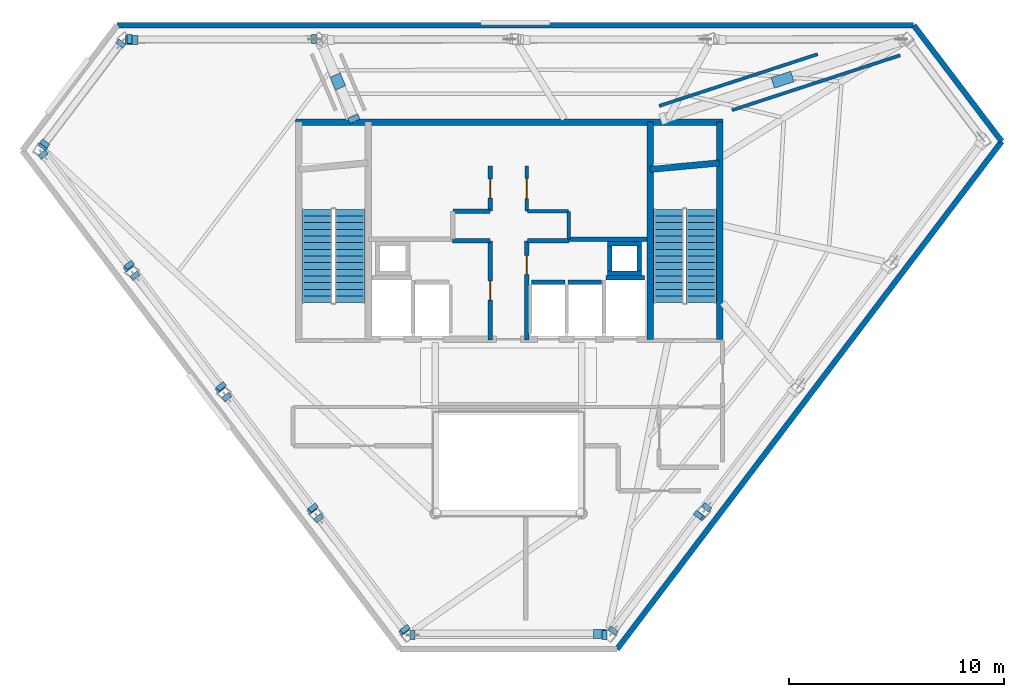
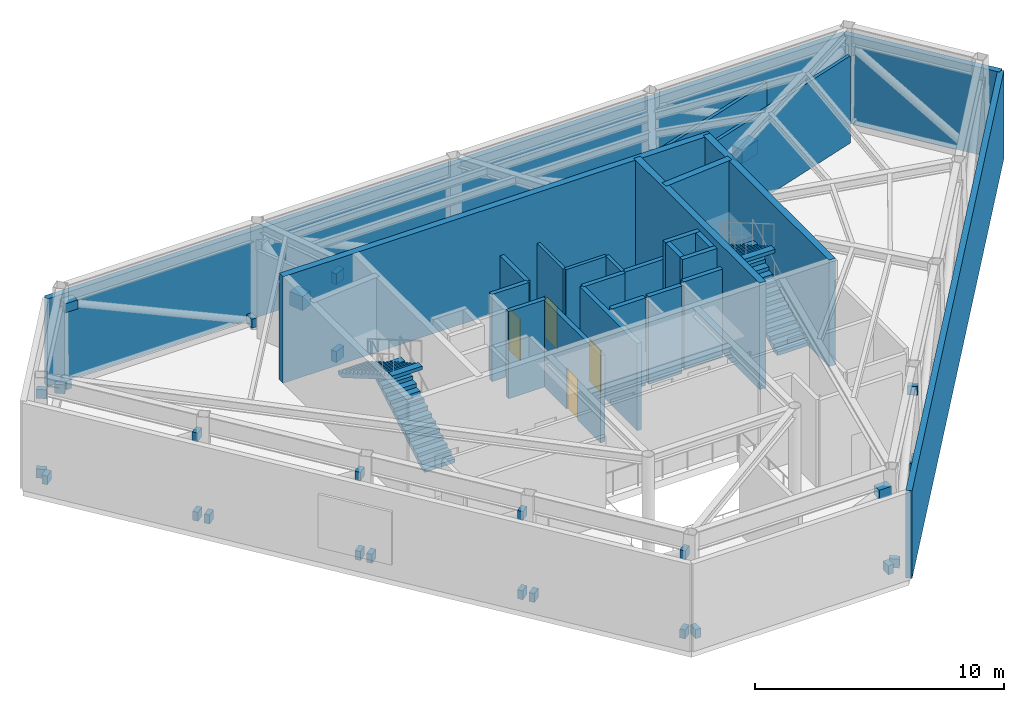
# One storey, part 5 of 9: 29 discrete accessories, 26 walls, 4 doors, 4 stair flights, 4 openings, 2 elements without a shape of their own.
"""IFC4 building model written with IfcOpenShell, lengths in metres."""

from ifc_helpers import new_model, si_unit, direction, frame, frame_2d, origin, origin_2d, place, context, subcontext, project, spatial, polyline, rectangle, outline, extrude, material, layer, layer_set, type_object, element, fill, aggregate, save


model = new_model("IFC4")

# Units and contexts
model_context = context("Model", 3, precision=1e-05, world=origin(), true_north=direction((0.0, 1.0)))
body_context = subcontext(model_context, "Body", "Model", "MODEL_VIEW")
ifc_project = project(units=[si_unit("LENGTHUNIT", "METRE"), si_unit("AREAUNIT", "SQUARE_METRE"), si_unit("VOLUMEUNIT", "CUBIC_METRE"), si_unit("PLANEANGLEUNIT", "RADIAN"), si_unit("MASSUNIT", "GRAM", prefix="KILO")], contexts=[model_context])

# Site, building, storey
site_placement = place(None, origin())
site = spatial("IfcSite", under=ifc_project, at=site_placement, CompositionType="ELEMENT")
building_placement = place(site_placement, origin())
building = spatial("IfcBuilding", under=site, at=building_placement, Name="Zarrinselat Tower", CompositionType="ELEMENT")
storey_placement = place(building_placement, frame((0.0, 0.0, 252.9599609375)))
storey = spatial("IfcBuildingStorey", under=building, at=storey_placement, Name="L64", CompositionType="ELEMENT", Elevation=252.9599609375)

# Walls
ifc_material_1 = material(Name="Honed Cream Travertine Stone", Category="masonry")
ifc_layer_1 = layer(ifc_material_1, 0.260009765625)
ifc_layer_set_1 = layer_set([ifc_layer_1], Name="Honed Cream Travertine Stone")
wall_type_1 = type_object("IfcWallType", Name="WAL-EXT-STONE-260", PredefinedType="STANDARD", material=ifc_layer_set_1)
wall_1_placement = place(storey_placement, frame((20.199462890625, 47.905517578125, 0.0), z_axis=(0.0, 0.0, 1.0), x_axis=(1.0, 0.0, 0.0)))
element("IfcWall", 1, at=wall_1_placement, inside=storey, type_object=wall_type_1, Name="L64 Mechanical Plant Travertine Perimeter Wall 1", PredefinedType="STANDARD", context=body_context, shape_type="SweptSolid", body=[
    extrude(rectangle(XDim=37.038818359375, YDim=0.260009765625, at=frame_2d((18.51953125, 0.0))), origin(), (0.0, 0.0, 1.0), 4.294921875),
])
wall_2_placement = place(storey_placement, frame((43.443359375, 18.88623046875, 0.0), z_axis=(0.0, 0.0, 1.0), x_axis=(0.603858957302, 0.797091186556, 0.0)))
element("IfcWall", 2, at=wall_2_placement, inside=storey, type_object=wall_type_1, Name="L64 Mechanical Plant Travertine Perimeter Wall 5", PredefinedType="STANDARD", context=body_context, shape_type="SweptSolid", body=[
    extrude(rectangle(XDim=29.62548828125, YDim=0.260009765625, at=frame_2d((14.812744140625, 0.0))), origin(), (0.0, 0.0, 1.0), 4.294921875),
])
wall_3_placement = place(storey_placement, frame((57.23828125, 47.905517578125, 0.0), z_axis=(0.0, 0.0, 1.0), x_axis=(0.603858381187, -0.797091623008, 0.0)))
element("IfcWall", 3, at=wall_3_placement, inside=storey, type_object=wall_type_1, Name="L64 Mechanical Plant Travertine Perimeter Wall 6", PredefinedType="STANDARD", context=body_context, shape_type="SweptSolid", body=[
    extrude(rectangle(XDim=6.781005859375, YDim=0.260009765625, at=frame_2d((3.390625, 0.0))), origin(), (0.0, 0.0, 1.0), 4.294921875),
])

# Wall, opening, door
ifc_material_2 = material(Name="Fire-Rated Gypsum Board Partition", Category="gypsum")
ifc_layer_2 = layer(ifc_material_2, 0.14990234375)
ifc_layer_set_2 = layer_set([ifc_layer_2], Name="Fire-Rated Gypsum Board Partition")
wall_type_2 = type_object("IfcWallType", Name="WAL-PART-EI60", PredefinedType="PARTITIONING", material=ifc_layer_set_2)
wall_4_placement = place(storey_placement, frame((39.25, 39.27001953125, 0.0), z_axis=(0.0, 0.0, 1.0), x_axis=(0.0, 1.0, 0.0)))
wall_4 = element("IfcWall", 4, at=wall_4_placement, inside=storey, type_object=wall_type_2, Name="L64 Partition Wall 8", PredefinedType="PARTITIONING", context=body_context, shape_type="SweptSolid", body=[
    extrude(rectangle(XDim=2.080078125, YDim=0.14990234375, at=frame_2d((1.0400390625, 0.0))), origin(), (0.0, 0.0, 1.0), 4.275146484375),
])
opening_1_placement = place(wall_4_placement, frame((0.570068359375, 0.0, 0.0)))
opening_1 = element("IfcOpeningElement", 5, at=opening_1_placement, cuts=wall_4, Name="Opening ID-04", PredefinedType="OPENING", context=body_context, shape_type="SweptSolid", body=[
    extrude(rectangle(XDim=0.93994140625, YDim=2.050048828125, at=frame_2d((0.469970703125, 1.02490234375))), frame((0.0, 0.0849609375, 0.0), z_axis=(0.0, -1.0, 0.0), x_axis=(1.0, 0.0, 0.0)), (0.0, 0.0, 1.0), 0.169921875),
])
ifc_material_3 = material(Name="Fire-Rated Gypsum Board Partition")
door_type_1 = type_object("IfcDoorType", Name="DR-INT-FD30-ENT", OperationType="NOTDEFINED", PredefinedType="DOOR", material=ifc_material_3)
door_1_placement = place(opening_1_placement, origin())
door_1 = element("IfcDoor", 6, at=door_1_placement, inside=storey, type_object=door_type_1, Name="L64 Interior Door P8", OperationType="SINGLE_SWING_RIGHT", OverallHeight=2.050048828125, OverallWidth=0.93994140625, PredefinedType="DOOR", context=body_context, shape_type="SweptSolid", body=[
    extrude(rectangle(XDim=0.93994140625, YDim=2.050048828125, at=frame_2d((0.469970703125, 1.02490234375))), frame((0.0, 0.02490234375, 0.0), z_axis=(0.0, -1.0, 0.0), x_axis=(1.0, 0.0, 0.0)), (0.0, 0.0, 1.0), 0.050048828125),
])
fill(opening_1, door_1)

# Walls
wall_5_placement = place(storey_placement, frame((39.27001953125, 39.25, 0.0), z_axis=(0.0, 0.0, 1.0), x_axis=(1.0, 0.0, 0.0)))
element("IfcWall", 7, at=wall_5_placement, inside=storey, type_object=wall_type_2, Name="L64 Partition Wall 9", PredefinedType="PARTITIONING", context=body_context, shape_type="SweptSolid", body=[
    extrude(rectangle(XDim=1.909912109375, YDim=0.14990234375, at=frame_2d((0.955078125, 0.0))), origin(), (0.0, 0.0, 1.0), 4.275146484375),
])
wall_6_placement = place(storey_placement, frame((41.199951171875, 37.955078125, 0.0), z_axis=(0.0, 0.0, 1.0), x_axis=(0.0, 1.0, 0.0)))
element("IfcWall", 8, at=wall_6_placement, inside=storey, type_object=wall_type_2, Name="L64 Partition Wall 10", PredefinedType="PARTITIONING", context=body_context, shape_type="SweptSolid", body=[
    extrude(rectangle(XDim=1.27490234375, YDim=0.14990234375, at=frame_2d((0.637451171875, 0.0))), origin(), (0.0, 0.0, 1.0), 4.275146484375),
])

# Wall, opening, door
ifc_material_4 = material(Name="Concrete C40/50", Category="concrete")
ifc_layer_3 = layer(ifc_material_4, 0.199951171875)
ifc_layer_set_3 = layer_set([ifc_layer_3], Name="Concrete C40/50")
wall_type_3 = type_object("IfcWallType", Name="WAL-PART-PLANT", PredefinedType="PARTITIONING", material=ifc_layer_set_3)
wall_7_placement = place(storey_placement, frame((37.550048828125, 33.264892578125, 0.0), z_axis=(0.0, 0.0, 1.0), x_axis=(0.0, 1.0, 0.0)))
wall_7 = element("IfcWall", 9, at=wall_7_placement, inside=storey, type_object=wall_type_3, Name="L64 Partition Wall 1", PredefinedType="PARTITIONING", context=body_context, shape_type="SweptSolid", body=[
    extrude(rectangle(XDim=4.59521484375, YDim=0.199951171875, at=frame_2d((2.297607421875, 0.0))), origin(), (0.0, 0.0, 1.0), 4.275146484375),
])
opening_2_placement = place(wall_7_placement, frame((1.857421875, 0.0, 0.0)))
opening_2 = element("IfcOpeningElement", 10, at=opening_2_placement, cuts=wall_7, Name="Opening ID-03", PredefinedType="OPENING", context=body_context, shape_type="SweptSolid", body=[
    extrude(rectangle(XDim=0.8798828125, YDim=2.050048828125, at=frame_2d((0.43994140625, 1.02490234375))), frame((0.0, 0.10986328125, 0.0), z_axis=(0.0, -1.0, 0.0), x_axis=(1.0, 0.0, 0.0)), (0.0, 0.0, 1.0), 0.219970703125),
])
ifc_material_5 = material(Name="Steel S355J2", Category="steel")
door_type_2 = type_object("IfcDoorType", Name="DR-INT-FD60-S", OperationType="NOTDEFINED", PredefinedType="DOOR", material=ifc_material_5)
door_2_placement = place(opening_2_placement, origin())
door_2 = element("IfcDoor", 11, at=door_2_placement, inside=storey, type_object=door_type_2, Name="L64 Interior Door P1", OperationType="SINGLE_SWING_LEFT", OverallHeight=2.050048828125, OverallWidth=0.8798828125, PredefinedType="DOOR", context=body_context, shape_type="SweptSolid", body=[
    extrude(rectangle(XDim=0.8798828125, YDim=2.050048828125, at=frame_2d((0.43994140625, 1.02490234375))), frame((0.0, 0.02490234375, 0.0), z_axis=(0.0, -1.0, 0.0), x_axis=(1.0, 0.0, 0.0)), (0.0, 0.0, 1.0), 0.050048828125),
])
fill(opening_2, door_2)

# Walls
wall_8_placement = place(storey_placement, frame((35.800048828125, 37.8798828125, 0.0), z_axis=(0.0, 0.0, 1.0), x_axis=(1.0, 0.0, 0.0)))
element("IfcWall", 12, at=wall_8_placement, inside=storey, type_object=wall_type_3, Name="L64 Partition Wall 2", PredefinedType="PARTITIONING", context=body_context, shape_type="SweptSolid", body=[
    extrude(rectangle(XDim=1.72998046875, YDim=0.199951171875, at=frame_2d((0.864990234375, 0.0))), origin(), (0.0, 0.0, 1.0), 4.275146484375),
])
wall_9_placement = place(storey_placement, frame((35.820068359375, 39.25, 0.0), z_axis=(0.0, 0.0, 1.0), x_axis=(1.0, 0.0, 0.0)))
element("IfcWall", 13, at=wall_9_placement, inside=storey, type_object=wall_type_3, Name="L64 Partition Wall 4", PredefinedType="PARTITIONING", context=body_context, shape_type="SweptSolid", body=[
    extrude(rectangle(XDim=1.7099609375, YDim=0.199951171875, at=frame_2d((0.85498046875, 0.0))), origin(), (0.0, 0.0, 1.0), 4.275146484375),
])

# Wall, opening, door
wall_10_placement = place(storey_placement, frame((37.550048828125, 39.27001953125, 0.0), z_axis=(0.0, 0.0, 1.0), x_axis=(0.0, 1.0, 0.0)))
wall_10 = element("IfcWall", 14, at=wall_10_placement, inside=storey, type_object=wall_type_3, Name="L64 Partition Wall 5", PredefinedType="PARTITIONING", context=body_context, shape_type="SweptSolid", body=[
    extrude(rectangle(XDim=2.080078125, YDim=0.199951171875, at=frame_2d((1.0400390625, 0.0))), origin(), (0.0, 0.0, 1.0), 4.275146484375),
])
opening_3_placement = place(wall_10_placement, frame((0.60009765625, 0.0, 0.0)))
opening_3 = element("IfcOpeningElement", 15, at=opening_3_placement, cuts=wall_10, Name="Opening ID-03", PredefinedType="OPENING", context=body_context, shape_type="SweptSolid", body=[
    extrude(rectangle(XDim=0.8798828125, YDim=2.050048828125, at=frame_2d((0.43994140625, 1.02490234375))), frame((0.0, 0.10986328125, 0.0), z_axis=(0.0, -1.0, 0.0), x_axis=(1.0, 0.0, 0.0)), (0.0, 0.0, 1.0), 0.219970703125),
])
door_3_placement = place(opening_3_placement, origin())
door_3 = element("IfcDoor", 16, at=door_3_placement, inside=storey, type_object=door_type_2, Name="L64 Interior Door P5", OperationType="SINGLE_SWING_RIGHT", OverallHeight=2.050048828125, OverallWidth=0.8798828125, PredefinedType="DOOR", context=body_context, shape_type="SweptSolid", body=[
    extrude(rectangle(XDim=0.8798828125, YDim=2.050048828125, at=frame_2d((0.43994140625, 1.02490234375))), frame((0.0, 0.02490234375, 0.0), z_axis=(0.0, -1.0, 0.0), x_axis=(1.0, 0.0, 0.0)), (0.0, 0.0, 1.0), 0.050048828125),
])
fill(opening_3, door_3)

# Wall
wall_11_placement = place(storey_placement, frame((39.27001953125, 37.8798828125, 0.0), z_axis=(0.0, 0.0, 1.0), x_axis=(1.0, 0.0, 0.0)))
element("IfcWall", 17, at=wall_11_placement, inside=storey, type_object=wall_type_3, Name="L64 Partition Wall 6", PredefinedType="PARTITIONING", context=body_context, shape_type="SweptSolid", body=[
    extrude(rectangle(XDim=1.929931640625, YDim=0.199951171875, at=frame_2d((0.96484375, 0.0))), origin(), (0.0, 0.0, 1.0), 4.275146484375),
])

# Wall, opening, door
wall_12_placement = place(storey_placement, frame((39.25, 33.264892578125, 0.0), z_axis=(0.0, 0.0, 1.0), x_axis=(0.0, 1.0, 0.0)))
wall_12 = element("IfcWall", 18, at=wall_12_placement, inside=storey, type_object=wall_type_3, Name="L64 Partition Wall 7", PredefinedType="PARTITIONING", context=body_context, shape_type="SweptSolid", body=[
    extrude(rectangle(XDim=4.59521484375, YDim=0.199951171875, at=frame_2d((2.297607421875, 0.0))), origin(), (0.0, 0.0, 1.0), 4.275146484375),
])
opening_4_placement = place(wall_12_placement, frame((3.0576171875, 0.0, 0.0)))
opening_4 = element("IfcOpeningElement", 19, at=opening_4_placement, cuts=wall_12, Name="Opening ID-03", PredefinedType="OPENING", context=body_context, shape_type="SweptSolid", body=[
    extrude(rectangle(XDim=0.8798828125, YDim=2.050048828125, at=frame_2d((0.43994140625, 1.02490234375))), frame((0.0, 0.10986328125, 0.0), z_axis=(0.0, -1.0, 0.0), x_axis=(1.0, 0.0, 0.0)), (0.0, 0.0, 1.0), 0.219970703125),
])
door_4_placement = place(opening_4_placement, origin())
door_4 = element("IfcDoor", 20, at=door_4_placement, inside=storey, type_object=door_type_2, Name="L64 Interior Door P7", OperationType="SINGLE_SWING_LEFT", OverallHeight=2.050048828125, OverallWidth=0.8798828125, PredefinedType="DOOR", context=body_context, shape_type="SweptSolid", body=[
    extrude(rectangle(XDim=0.8798828125, YDim=2.050048828125, at=frame_2d((0.43994140625, 1.02490234375))), frame((0.0, 0.02490234375, 0.0), z_axis=(0.0, -1.0, 0.0), x_axis=(1.0, 0.0, 0.0)), (0.0, 0.0, 1.0), 0.050048828125),
])
fill(opening_4, door_4)

# Walls
wall_13_placement = place(storey_placement, frame((41.219970703125, 37.949951171875, 0.0), z_axis=(0.0, 0.0, 1.0), x_axis=(1.0, 0.0, 0.0)))
element("IfcWall", 21, at=wall_13_placement, inside=storey, type_object=wall_type_3, Name="L64 Partition Wall 12", PredefinedType="PARTITIONING", context=body_context, shape_type="SweptSolid", body=[
    extrude(rectangle(XDim=3.614990234375, YDim=0.199951171875, at=frame_2d((1.8076171875, 0.0))), origin(), (0.0, 0.0, 1.0), 4.275146484375),
])
ifc_material_6 = material(Name="Fire-Rated Gypsum Board Partition", Category="gypsum")
ifc_layer_4 = layer(ifc_material_6, 0.1201171875)
ifc_layer_set_4 = layer_set([ifc_layer_4], Name="Fire-Rated Gypsum Board Partition")
wall_type_4 = type_object("IfcWallType", Name="WAL-PART-STD", PredefinedType="PARTITIONING", material=ifc_layer_set_4)
wall_14_placement = place(storey_placement, frame((48.78662109375, 43.949951171875, 0.0), z_axis=(0.0, 0.0, 1.0), x_axis=(0.95063243693, 0.310319141942, 0.0)))
element("IfcWall", 22, at=wall_14_placement, inside=storey, type_object=wall_type_4, Name="L64 Outrigger Truss Zone 17 Fire Partition 1", PredefinedType="PARTITIONING", context=body_context, shape_type="SweptSolid", body=[
    extrude(rectangle(XDim=8.22705078125, YDim=0.14990234375, at=frame_2d((4.113525390625, 0.0))), origin(), (0.0, 0.0, 1.0), 4.275146484375),
])
wall_15_placement = place(storey_placement, frame((45.40771484375, 44.1513671875, 0.0), z_axis=(0.0, 0.0, 1.0), x_axis=(0.950631259931, 0.310322747541, 0.0)))
element("IfcWall", 23, at=wall_15_placement, inside=storey, type_object=wall_type_4, Name="L64 Outrigger Truss Zone 17 Fire Partition 2", PredefinedType="PARTITIONING", context=body_context, shape_type="SweptSolid", body=[
    extrude(rectangle(XDim=7.747802734375, YDim=0.14990234375, at=frame_2d((3.8740234375, 0.0))), origin(), (0.0, 0.0, 1.0), 4.275146484375),
])
ifc_material_7 = material(Name="Concrete C40/50", Category="concrete")
ifc_layer_5 = layer(ifc_material_7, 0.2099609375)
ifc_layer_set_5 = layer_set([ifc_layer_5], Name="Concrete C40/50")
wall_type_5 = type_object("IfcWallType", Name="WAL-SHAFT-210", PredefinedType="SOLIDWALL", material=ifc_layer_set_5)
wall_16_placement = place(storey_placement, frame((42.919921875, 36.155029296875, 0.0), z_axis=(0.0, 0.0, 1.0), x_axis=(1.0, 0.0, 0.0)))
element("IfcWall", 24, at=wall_16_placement, inside=storey, type_object=wall_type_5, Name="L64 Lift FFL2 North Shaft Wall", PredefinedType="SOLIDWALL", context=body_context, shape_type="SweptSolid", body=[
    extrude(rectangle(XDim=1.800048828125, YDim=0.2099609375, at=frame_2d((0.89990234375, 0.0))), origin(), (0.0, 0.0, 1.0), 4.2900390625),
])
for number, where, z_axis, x_axis, name in (
    (25, (39.469970703125, 35.955078125, 0.0), (0.0, 0.0, 1.0), (1.0, 0.0, 0.0), "L64 Lift PL8 North Shaft Wall"),
    (26, (41.169921875, 35.955078125, 0.0), (0.0, 0.0, 1.0), (1.0, 0.0, 0.0), "L64 Lift PL9 North Shaft Wall"),
):
    element("IfcWall", number, at=place(storey_placement, frame(where, z_axis=z_axis, x_axis=x_axis)), inside=storey, type_object=wall_type_5, Name=name, PredefinedType="SOLIDWALL", context=body_context, shape_type="SweptSolid", body=[
        extrude(rectangle(XDim=1.56005859375, YDim=0.2099609375, at=frame_2d((0.780029296875, 0.0))), origin(), (0.0, 0.0, 1.0), 4.2900390625),
    ])
for number, where, z_axis, x_axis, name in (
    (27, (42.989990234375, 36.375, 0.0), (0.0, 0.0, 1.0), (1.0, 0.0, 0.0), "L64 Core Riser RSR-E S Shaft Wall"),
    (28, (42.989990234375, 37.7451171875, 0.0), (0.0, 0.0, 1.0), (1.0, 0.0, 0.0), "L64 Core Riser RSR-E N Shaft Wall"),
):
    element("IfcWall", number, at=place(storey_placement, frame(where, z_axis=z_axis, x_axis=x_axis)), inside=storey, type_object=wall_type_5, Name=name, PredefinedType="SOLIDWALL", context=body_context, shape_type="SweptSolid", body=[
        extrude(rectangle(XDim=1.60009765625, YDim=0.2099609375, at=frame_2d((0.800048828125, 0.0))), origin(), (0.0, 0.0, 1.0), 5.219970703125),
    ])
for number, where, z_axis, x_axis, name in (
    (29, (43.094970703125, 36.485107421875, 0.0), (0.0, 0.0, 1.0), (0.0, 1.0, 0.0), "L64 Core Riser RSR-E W Shaft Wall"),
    (30, (44.485107421875, 36.485107421875, 0.0), (0.0, 0.0, 1.0), (0.0, 1.0, 0.0), "L64 Core Riser RSR-E E Shaft Wall"),
):
    element("IfcWall", number, at=place(storey_placement, frame(where, z_axis=z_axis, x_axis=x_axis)), inside=storey, type_object=wall_type_5, Name=name, PredefinedType="SOLIDWALL", context=body_context, shape_type="SweptSolid", body=[
        extrude(rectangle(XDim=1.14990234375, YDim=0.2099609375, at=frame_2d((0.574951171875, 0.0))), origin(), (0.0, 0.0, 1.0), 5.219970703125),
    ])
ifc_material_8 = material(Name="Concrete C40/50", Category="concrete")
ifc_layer_6 = layer(ifc_material_8, 0.300048828125)
ifc_layer_set_6 = layer_set([ifc_layer_6], Name="Concrete C40/50")
wall_type_6 = type_object("IfcWallType", Name="WAL-SHEAR-300", PredefinedType="SHEAR", material=ifc_layer_set_6)
wall_17_placement = place(storey_placement, frame((28.5, 43.39990234375, 0.0), z_axis=(0.0, 0.0, 1.0), x_axis=(1.0, 0.0, 0.0)))
element("IfcWall", 31, at=wall_17_placement, inside=storey, type_object=wall_type_6, Name="L64 North Core Shear Wall", PredefinedType="SHEAR", context=body_context, shape_type="SweptSolid", body=[
    extrude(rectangle(XDim=19.860107421875, YDim=0.300048828125, at=frame_2d((9.93017578125, 0.0))), origin(), (0.0, 0.0, 1.0), 5.219970703125),
])
for number, where, z_axis, x_axis, name in (
    (32, (44.989990234375, 33.300048828125, 0.0), (0.0, 0.0, 1.0), (0.0, 1.0, 0.0), "L64 Core Shear Wall ST2W"),
    (33, (48.2099609375, 33.300048828125, 0.0), (0.0, 0.0, 1.0), (0.0, 1.0, 0.0), "L64 Core Shear Wall E"),
):
    element("IfcWall", number, at=place(storey_placement, frame(where, z_axis=z_axis, x_axis=x_axis)), inside=storey, type_object=wall_type_6, Name=name, PredefinedType="SHEAR", context=body_context, shape_type="SweptSolid", body=[
        extrude(rectangle(XDim=10.099853515625, YDim=0.300048828125, at=frame_2d((5.0498046875, 0.0))), origin(), (0.0, 0.0, 1.0), 5.219970703125),
    ])
wall_18_placement = place(storey_placement, frame((44.97998046875, 41.199951171875, 0.0), z_axis=(0.0, 0.0, 1.0), x_axis=(0.995686468965, 0.09278176286, 0.0)))
element("IfcWall", 34, at=wall_18_placement, inside=storey, type_object=wall_type_6, Name="L64 Stair 2 North Shaft Wall", PredefinedType="SHEAR", context=body_context, shape_type="SweptSolid", body=[
    extrude(rectangle(XDim=3.23388671875, YDim=0.300048828125, at=frame_2d((1.616943359375, 0.0))), origin(), (0.0, 0.0, 1.0), 5.219970703125),
])

# Stair, stair flights
ifc_material_9 = material(Name="Concrete C40/50", Category="concrete")
stair_type = type_object("IfcStairType", Name="STR-CORE-155", PredefinedType="HALF_TURN_STAIR", material=ifc_material_9)
stair_1_placement = place(storey_placement, origin())
stair_1 = element("IfcStair", 35, at=stair_1_placement, inside=storey, type_object=stair_type, Name="L64 Core Exit Stair 1", PredefinedType="HALF_TURN_STAIR")
ifc_material_10 = material(Name="Concrete C40/50", Category="concrete")
stair_flight_type = type_object("IfcStairFlightType", Name="STR-FLT-155", PredefinedType="STRAIGHT", material=ifc_material_10)
stair_flight_1_placement = place(storey_placement, frame((31.02001953125, 35.0, 0.0), z_axis=(0.0, 0.0, 1.0), x_axis=(0.0, 1.0, 0.0)))
stair_flight_1 = element("IfcStairFlight", 36, at=stair_flight_1_placement, type_object=stair_flight_type, Name="ST-1 flight 1", NumberOfRisers=15, NumberOfTreads=14, PredefinedType="STRAIGHT", RiserHeight=0.181333333, TreadLength=0.31, context=body_context, shape_type="SweptSolid", body=[
    extrude(outline(polyline([(0.0, 0.0), (0.0, 0.181396484375), (0.31005859375, 0.181396484375), (0.31005859375, 0.362548828125), (0.6201171875, 0.362548828125), (0.6201171875, 0.5439453125), (0.929931640625, 0.5439453125), (0.929931640625, 0.725341796875), (1.239990234375, 0.725341796875), (1.239990234375, 0.90673828125), (1.550048828125, 0.90673828125), (1.550048828125, 1.087890625), (1.860107421875, 1.087890625), (1.860107421875, 1.269287109375), (2.169921875, 1.269287109375), (2.169921875, 1.45068359375), (2.47998046875, 1.45068359375), (2.47998046875, 1.632080078125), (2.7900390625, 1.632080078125), (2.7900390625, 1.813232421875), (3.10009765625, 1.813232421875), (3.10009765625, 1.99462890625), (3.409912109375, 1.99462890625), (3.409912109375, 2.176025390625), (3.719970703125, 2.176025390625), (3.719970703125, 2.357421875), (4.030029296875, 2.357421875), (4.030029296875, 2.53857421875), (4.340087890625, 2.53857421875), (4.340087890625, 2.719970703125), (4.340087890625, 2.364990234375), (0.296875, 0.0), (0.0, 0.0)])), frame((0.0, 0.699951171875, 0.0), z_axis=(0.0, -1.0, 0.0), x_axis=(1.0, 0.0, 0.0)), (0.0, 0.0, 1.0), 1.39990234375),
])
stair_flight_2_placement = place(storey_placement, frame((29.5, 39.340087890625, 2.719970703125), z_axis=(0.0, 0.0, 1.0), x_axis=(0.0, -1.0, 0.0)))
stair_flight_2 = element("IfcStairFlight", 37, at=stair_flight_2_placement, type_object=stair_flight_type, Name="ST-1 flight 2", NumberOfRisers=15, NumberOfTreads=14, PredefinedType="STRAIGHT", RiserHeight=0.181333333, TreadLength=0.31, context=body_context, shape_type="SweptSolid", body=[
    extrude(outline(polyline([(0.0, 0.0), (0.0, 0.181396484375), (0.31005859375, 0.181396484375), (0.31005859375, 0.362548828125), (0.6201171875, 0.362548828125), (0.6201171875, 0.5439453125), (0.929931640625, 0.5439453125), (0.929931640625, 0.725341796875), (1.239990234375, 0.725341796875), (1.239990234375, 0.90673828125), (1.550048828125, 0.90673828125), (1.550048828125, 1.087890625), (1.860107421875, 1.087890625), (1.860107421875, 1.269287109375), (2.169921875, 1.269287109375), (2.169921875, 1.45068359375), (2.47998046875, 1.45068359375), (2.47998046875, 1.632080078125), (2.7900390625, 1.632080078125), (2.7900390625, 1.813232421875), (3.10009765625, 1.813232421875), (3.10009765625, 1.99462890625), (3.409912109375, 1.99462890625), (3.409912109375, 2.176025390625), (3.719970703125, 2.176025390625), (3.719970703125, 2.357421875), (4.030029296875, 2.357421875), (4.030029296875, 2.53857421875), (4.340087890625, 2.53857421875), (4.340087890625, 2.719970703125), (4.340087890625, 2.364990234375), (0.296875, 0.0), (0.0, 0.0)])), frame((0.0, 0.699951171875, 0.0), z_axis=(0.0, -1.0, 0.0), x_axis=(1.0, 0.0, 0.0)), (0.0, 0.0, 1.0), 1.39990234375),
])
aggregate(stair_1, [stair_flight_1, stair_flight_2])

stair_2_placement = place(storey_placement, origin())
stair_2 = element("IfcStair", 38, at=stair_2_placement, inside=storey, type_object=stair_type, Name="L64 Core Exit Stair 2", PredefinedType="HALF_TURN_STAIR")
stair_flight_3_placement = place(storey_placement, frame((47.360107421875, 35.0, 0.0), z_axis=(0.0, 0.0, 1.0), x_axis=(0.0, 1.0, 0.0)))
stair_flight_3 = element("IfcStairFlight", 39, at=stair_flight_3_placement, type_object=stair_flight_type, Name="ST-2 flight 1", NumberOfRisers=15, NumberOfTreads=14, PredefinedType="STRAIGHT", RiserHeight=0.181333333, TreadLength=0.31, context=body_context, shape_type="SweptSolid", body=[
    extrude(outline(polyline([(0.0, 0.0), (0.0, 0.181396484375), (0.31005859375, 0.181396484375), (0.31005859375, 0.362548828125), (0.6201171875, 0.362548828125), (0.6201171875, 0.5439453125), (0.929931640625, 0.5439453125), (0.929931640625, 0.725341796875), (1.239990234375, 0.725341796875), (1.239990234375, 0.90673828125), (1.550048828125, 0.90673828125), (1.550048828125, 1.087890625), (1.860107421875, 1.087890625), (1.860107421875, 1.269287109375), (2.169921875, 1.269287109375), (2.169921875, 1.45068359375), (2.47998046875, 1.45068359375), (2.47998046875, 1.632080078125), (2.7900390625, 1.632080078125), (2.7900390625, 1.813232421875), (3.10009765625, 1.813232421875), (3.10009765625, 1.99462890625), (3.409912109375, 1.99462890625), (3.409912109375, 2.176025390625), (3.719970703125, 2.176025390625), (3.719970703125, 2.357421875), (4.030029296875, 2.357421875), (4.030029296875, 2.53857421875), (4.340087890625, 2.53857421875), (4.340087890625, 2.719970703125), (4.340087890625, 2.364990234375), (0.296875, 0.0), (0.0, 0.0)])), frame((0.0, 0.699951171875, 0.0), z_axis=(0.0, -1.0, 0.0), x_axis=(1.0, 0.0, 0.0)), (0.0, 0.0, 1.0), 1.39990234375),
])
stair_flight_4_placement = place(storey_placement, frame((45.840087890625, 39.340087890625, 2.719970703125), z_axis=(0.0, 0.0, 1.0), x_axis=(0.0, -1.0, 0.0)))
stair_flight_4 = element("IfcStairFlight", 40, at=stair_flight_4_placement, type_object=stair_flight_type, Name="ST-2 flight 2", NumberOfRisers=15, NumberOfTreads=14, PredefinedType="STRAIGHT", RiserHeight=0.181333333, TreadLength=0.31, context=body_context, shape_type="SweptSolid", body=[
    extrude(outline(polyline([(0.0, 0.0), (0.0, 0.181396484375), (0.31005859375, 0.181396484375), (0.31005859375, 0.362548828125), (0.6201171875, 0.362548828125), (0.6201171875, 0.5439453125), (0.929931640625, 0.5439453125), (0.929931640625, 0.725341796875), (1.239990234375, 0.725341796875), (1.239990234375, 0.90673828125), (1.550048828125, 0.90673828125), (1.550048828125, 1.087890625), (1.860107421875, 1.087890625), (1.860107421875, 1.269287109375), (2.169921875, 1.269287109375), (2.169921875, 1.45068359375), (2.47998046875, 1.45068359375), (2.47998046875, 1.632080078125), (2.7900390625, 1.632080078125), (2.7900390625, 1.813232421875), (3.10009765625, 1.813232421875), (3.10009765625, 1.99462890625), (3.409912109375, 1.99462890625), (3.409912109375, 2.176025390625), (3.719970703125, 2.176025390625), (3.719970703125, 2.357421875), (4.030029296875, 2.357421875), (4.030029296875, 2.53857421875), (4.340087890625, 2.53857421875), (4.340087890625, 2.719970703125), (4.340087890625, 2.364990234375), (0.296875, 0.0), (0.0, 0.0)])), frame((0.0, 0.699951171875, 0.0), z_axis=(0.0, -1.0, 0.0), x_axis=(1.0, 0.0, 0.0)), (0.0, 0.0, 1.0), 1.39990234375),
])
aggregate(stair_2, [stair_flight_3, stair_flight_4])

# Discrete accessories
ifc_material_11 = material(Name="Steel S460M", Category="steel")
discrete_accessory_type_1 = type_object("IfcDiscreteAccessoryType", Name="ACC-BRACE-END", PredefinedType="BRACKET", material=ifc_material_11)
for number, where, z_axis, x_axis, name in (
    (41, (29.366943359375, 47.2529296875, 0.130126953125), (0.0, 0.0, 1.0), (-1.0, 0.0, 0.0), "L64 Belt Truss 4 End Gusset Bracket EA"),
    (42, (20.771484375, 47.2529296875, 0.130126953125), (0.0, 0.0, 1.0), (-1.0, 0.0, 0.0), "L64 Belt Truss 4 End Gusset Bracket EB"),
):
    element("IfcDiscreteAccessory", number, at=place(storey_placement, frame(where, z_axis=z_axis, x_axis=x_axis)), inside=storey, type_object=discrete_accessory_type_1, Name=name, PredefinedType="BRACKET", context=body_context, shape_type="SweptSolid", body=[
        extrude(rectangle(XDim=0.239990234375, YDim=0.419921875, at=origin_2d()), origin(), (0.0, 0.0, 1.0), 0.43994140625),
    ])
discrete_accessory_1_placement = place(storey_placement, frame((20.875732421875, 47.224609375, 3.940185546875), z_axis=(0.0, 0.0, 1.0), x_axis=(-1.0, 0.0, 0.0)))
element("IfcDiscreteAccessory", 43, at=discrete_accessory_1_placement, inside=storey, type_object=discrete_accessory_type_1, Name="L64 Belt Truss 4 End Gusset Bracket ET", PredefinedType="BRACKET", context=body_context, shape_type="SweptSolid", body=[
    extrude(rectangle(XDim=0.580078125, YDim=0.419921875, at=origin_2d()), origin(), (0.0, 0.0, 1.0), 0.43994140625),
])
for number, where, z_axis, x_axis, name in (
    (44, (20.3671875, 47.05224609375, 0.130126953125), (0.0, 0.0, 1.0), (-0.603856502007, -0.797093046629, 0.0), "L64 Belt Truss 5 End Gusset Bracket EA"),
    (45, (16.758544921875, 42.28857421875, 0.130126953125), (0.0, 0.0, 1.0), (-0.603856502007, -0.797093046629, 0.0), "L64 Belt Truss 5 End Gusset Bracket EB"),
    (46, (16.82958984375, 42.398193359375, 3.940185546875), (0.0, 0.0, 1.0), (-0.603856502007, -0.797093046629, 0.0), "L64 Belt Truss 5 End Gusset Bracket ET"),
    (47, (16.758544921875, 41.88671875, 0.130126953125), (0.0, 0.0, 1.0), (0.60386258946, -0.7970884349, 0.0), "L64 Belt Truss 6 End Gusset Bracket EA"),
    (48, (20.72412109375, 36.652099609375, 0.130126953125), (0.0, 0.0, 1.0), (0.60386258946, -0.7970884349, 0.0), "L64 Belt Truss 6 End Gusset Bracket EB"),
    (49, (20.76611328125, 36.755615234375, 3.940185546875), (0.0, 0.0, 1.0), (0.60386258946, -0.7970884349, 0.0), "L64 Belt Truss 6 End Gusset Bracket ET"),
    (50, (21.028564453125, 36.25048828125, 0.130126953125), (0.0, 0.0, 1.0), (0.603855781885, -0.797093592174, 0.0), "L64 Belt Truss 7 End Gusset Bracket EA"),
    (51, (24.994140625, 31.015625, 0.130126953125), (0.0, 0.0, 1.0), (0.603855781885, -0.797093592174, 0.0), "L64 Belt Truss 7 End Gusset Bracket EB"),
    (52, (25.041015625, 31.11279296875, 3.940185546875), (0.0, 0.0, 1.0), (0.603855781885, -0.797093592174, 0.0), "L64 Belt Truss 7 End Gusset Bracket ET"),
    (53, (25.298583984375, 30.614013671875, 0.130126953125), (0.0, 0.0, 1.0), (0.603846795811, -0.797100399692, 0.0), "L64 Belt Truss 8 End Gusset Bracket EA"),
    (54, (29.26416015625, 25.379150390625, 0.130126953125), (0.0, 0.0, 1.0), (0.603846795811, -0.797100399692, 0.0), "L64 Belt Truss 8 End Gusset Bracket EB"),
    (55, (29.31591796875, 25.4697265625, 3.940185546875), (0.0, 0.0, 1.0), (0.603846795811, -0.797100399692, 0.0), "L64 Belt Truss 8 End Gusset Bracket ET"),
    (56, (29.568603515625, 24.977294921875, 0.130126953125), (0.0, 0.0, 1.0), (0.60386258946, -0.7970884349, 0.0), "L64 Belt Truss 9 End Gusset Bracket EA"),
    (57, (33.5341796875, 19.74267578125, 0.130126953125), (0.0, 0.0, 1.0), (0.60386258946, -0.7970884349, 0.0), "L64 Belt Truss 9 End Gusset Bracket EB"),
    (58, (33.5908203125, 19.826904296875, 3.940185546875), (0.0, 0.0, 1.0), (0.60386258946, -0.7970884349, 0.0), "L64 Belt Truss 9 End Gusset Bracket ET"),
    (59, (33.9384765625, 19.5419921875, 0.130126953125), (0.0, 0.0, 1.0), (1.0, 0.0, 0.0), "L64 Belt Truss 10 End Gusset Bracket EA"),
    (60, (42.861572265625, 19.5419921875, 0.130126953125), (0.0, 0.0, 1.0), (1.0, 0.0, 0.0), "L64 Belt Truss 10 End Gusset Bracket EB"),
):
    element("IfcDiscreteAccessory", number, at=place(storey_placement, frame(where, z_axis=z_axis, x_axis=x_axis)), inside=storey, type_object=discrete_accessory_type_1, Name=name, PredefinedType="BRACKET", context=body_context, shape_type="SweptSolid", body=[
        extrude(rectangle(XDim=0.239990234375, YDim=0.419921875, at=origin_2d()), origin(), (0.0, 0.0, 1.0), 0.43994140625),
    ])
discrete_accessory_2_placement = place(storey_placement, frame((42.650146484375, 19.60400390625, 3.940185546875), z_axis=(0.0, 0.0, 1.0), x_axis=(1.0, 0.0, 0.0)))
element("IfcDiscreteAccessory", 61, at=discrete_accessory_2_placement, inside=storey, type_object=discrete_accessory_type_1, Name="L64 Belt Truss 10 End Gusset Bracket ET", PredefinedType="BRACKET", context=body_context, shape_type="SweptSolid", body=[
    extrude(rectangle(XDim=0.580078125, YDim=0.419921875, at=origin_2d()), origin(), (0.0, 0.0, 1.0), 0.43994140625),
])
for number, where, z_axis, x_axis, name in (
    (62, (43.265869140625, 19.74267578125, 0.130126953125), (0.0, 0.0, 1.0), (0.603856084121, 0.797093363208, 0.0), "L64 Belt Truss 11 End Gusset Bracket EA"),
    (63, (47.31103515625, 25.08251953125, 0.130126953125), (0.0, 0.0, 1.0), (0.603856084121, 0.797093363208, 0.0), "L64 Belt Truss 11 End Gusset Bracket EB"),
    (64, (47.224609375, 25.12744140625, 3.940185546875), (0.0, 0.0, 1.0), (0.603856084121, 0.797093363208, 0.0), "L64 Belt Truss 11 End Gusset Bracket ET"),
    (65, (47.615478515625, 25.484375, 0.130126953125), (0.0, 0.0, 1.0), (0.603856084121, 0.797093363208, 0.0), "L64 Belt Truss 12 End Gusset Bracket EA"),
):
    element("IfcDiscreteAccessory", number, at=place(storey_placement, frame(where, z_axis=z_axis, x_axis=x_axis)), inside=storey, type_object=discrete_accessory_type_1, Name=name, PredefinedType="BRACKET", context=body_context, shape_type="SweptSolid", body=[
        extrude(rectangle(XDim=0.239990234375, YDim=0.419921875, at=origin_2d()), origin(), (0.0, 0.0, 1.0), 0.43994140625),
    ])
for number, where, z_axis, x_axis, name in (
    (66, (31.203857421875, 43.552734375, 0.080078125), (0.0, 0.0, 1.0), (-0.393743158049, 0.919220498841, 0.0), "L64 Outrigger NW End Gusset Bracket CB"),
    (67, (31.203857421875, 43.552734375, 3.89013671875), (0.0, 0.0, 1.0), (-0.393743158049, 0.919220498841, 0.0), "L64 Outrigger NW End Gusset Bracket CT"),
):
    element("IfcDiscreteAccessory", number, at=place(storey_placement, frame(where, z_axis=z_axis, x_axis=x_axis)), inside=storey, type_object=discrete_accessory_type_1, Name=name, PredefinedType="BRACKET", context=body_context, shape_type="SweptSolid", body=[
        extrude(rectangle(XDim=0.260009765625, YDim=0.52001953125, at=origin_2d()), origin(), (0.0, 0.0, 1.0), 0.5400390625),
    ])
ifc_material_12 = material(Name="Steel S460M", Category="steel")
discrete_accessory_type_2 = type_object("IfcDiscreteAccessoryType", Name="ACC-XBRACE-NODE", PredefinedType="BRACKET", material=ifc_material_12)
discrete_accessory_3_placement = place(storey_placement, frame((30.462890625, 45.28271484375, 1.919921875), z_axis=(0.0, 0.0, 1.0), x_axis=(-0.393743158049, 0.919220498841, 0.0)))
element("IfcDiscreteAccessory", 68, at=discrete_accessory_3_placement, inside=storey, type_object=discrete_accessory_type_2, Name="L64 Outrigger NW X-Brace Central Gusset Node", PredefinedType="BRACKET", context=body_context, shape_type="SweptSolid", body=[
    extrude(rectangle(XDim=0.64501953125, YDim=0.52001953125, at=origin_2d()), origin(), (0.0, 0.0, 1.0), 0.679931640625),
])
discrete_accessory_4_placement = place(storey_placement, frame((51.13818359375, 45.3681640625, 1.91357421875), z_axis=(0.0, 0.0, 1.0), x_axis=(0.950720035948, 0.310050662388, 0.0)))
element("IfcDiscreteAccessory", 69, at=discrete_accessory_4_placement, inside=storey, type_object=discrete_accessory_type_2, Name="L64 Outrigger NE X-Brace Central Gusset Node", PredefinedType="BRACKET", context=body_context, shape_type="SweptSolid", body=[
    extrude(rectangle(XDim=0.96142578125, YDim=0.52001953125, at=origin_2d()), origin(), (0.0, 0.0, 1.0), 0.679931640625),
])

save(model, "model.ifc")
